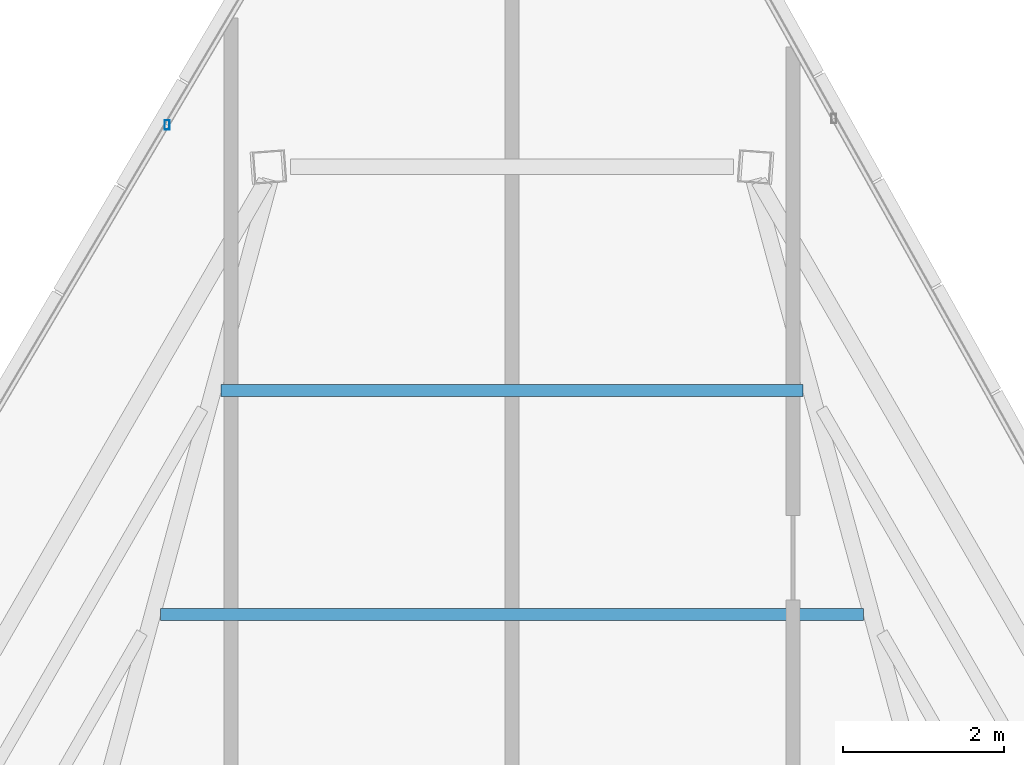
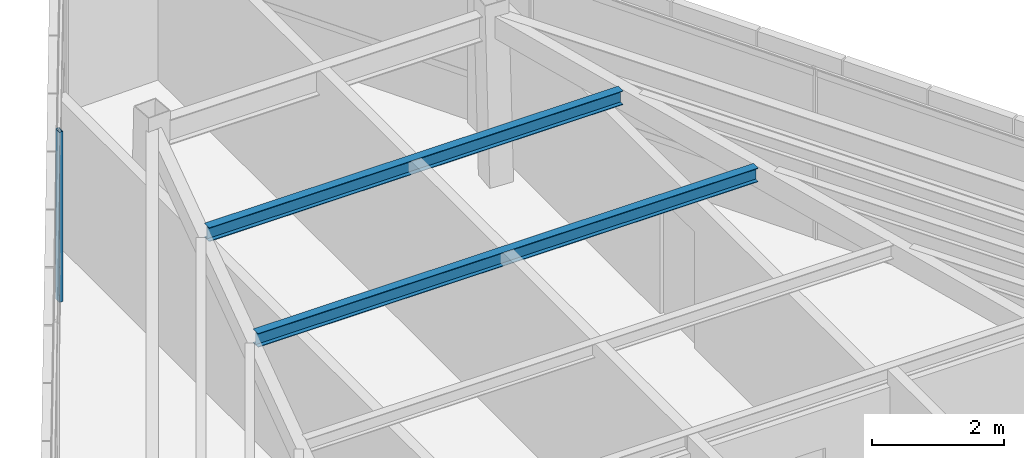
# One storey, part 34 of 44: 2 beams, 1 member, 1 element without a shape of its own.
"""IFC4 building model written with IfcOpenShell, lengths in metres."""

import ifcopenshell
import ifcopenshell.guid

model = None  # the IFC model being written
_history = None  # IfcOwnerHistory: only IFC2X3 demands one
_inside = {}  # id of a spatial element -> (the spatial element, [elements in it])
_under = {}  # id of a project, library or spatial element -> (it, [spatial elements below it])
_declared = {}  # id of a project -> (the project, [libraries it declares])
_typed = {}  # id of a type object -> (the type object, [elements of that type])
_made_of = {}  # id of a material, layer set ... -> (it, [elements and type objects made of it])


def new_model(schema):
    """Start an empty IFC model of exactly this schema.

    Asked for "IFC4X3", IfcOpenShell would pick the latest addendum, in which some entities
    have other attributes; the version numbers below select the first issue.
    IFC2X3 requires an IfcOwnerHistory on every rooted entity: one is made here for all.
    """
    global model, _history
    if schema == "IFC4X3":
        model = ifcopenshell.file(schema_version=(4, 3, 0, 0))
    else:
        model = ifcopenshell.file(schema=schema)
    _inside.clear()
    _under.clear()
    _declared.clear()
    _typed.clear()
    _made_of.clear()
    _history = None
    if model.schema == "IFC2X3":
        org = make("IfcOrganization", Name="unknown")
        user = make(
            "IfcPersonAndOrganization",
            ThePerson=make("IfcPerson", FamilyName="unknown"),
            TheOrganization=org,
        )
        app = make(
            "IfcApplication",
            ApplicationDeveloper=org,
            Version="unknown",
            ApplicationFullName="unknown",
            ApplicationIdentifier="unknown",
        )
        _history = make(
            "IfcOwnerHistory",
            OwningUser=user,
            OwningApplication=app,
            ChangeAction="ADDED",
            CreationDate=0,
        )
    return model


def make(cls, **values):
    """One entity of the class cls with the attributes given. An attribute that is None is left unset."""
    return model.create_entity(
        cls, **{name: value for name, value in values.items() if value is not None}
    )


def rooted(cls, **values):
    """An entity with a GlobalId (a new one), such as an element, a storey or a relation."""
    return make(cls, GlobalId=ifcopenshell.guid.new(), OwnerHistory=_history, **values)


def si_unit(unit_type, name, prefix=None):
    """IfcSIUnit, for example si_unit("LENGTHUNIT", "METRE", prefix="MILLI")."""
    return make("IfcSIUnit", UnitType=unit_type, Prefix=prefix, Name=name)


def assignment(units):
    """IfcUnitAssignment: the units of a project."""
    return None if units is None else make("IfcUnitAssignment", Units=units)


def point(xyz):
    """IfcCartesianPoint."""
    return None if xyz is None else make("IfcCartesianPoint", Coordinates=xyz)


def direction(xyz):
    """IfcDirection."""
    return None if xyz is None else make("IfcDirection", DirectionRatios=xyz)


def frame(location, z_axis=None, x_axis=None):
    """IfcAxis2Placement3D, a coordinate frame: its origin and axes. An axis left out is left unset."""
    return make(
        "IfcAxis2Placement3D",
        Location=point(location),
        Axis=direction(z_axis),
        RefDirection=direction(x_axis),
    )


def frame_2d(location, x_axis=None):
    """IfcAxis2Placement2D, a coordinate frame in the plane: its origin and x axis."""
    return make(
        "IfcAxis2Placement2D", Location=point(location), RefDirection=direction(x_axis)
    )


def origin():
    """The frame at (0, 0, 0) with its axes left unset."""
    return frame((0.0, 0.0, 0.0))


def origin_2d():
    """The frame at (0, 0) in the plane with its x axis left unset."""
    return frame_2d((0.0, 0.0))


def place(relative_to, where):
    """IfcLocalPlacement: puts the frame where relative to a parent placement (None: the world)."""
    return make(
        "IfcLocalPlacement", PlacementRelTo=relative_to, RelativePlacement=where
    )


def context(
    kind, dimensions, precision=None, world=None, true_north=None, identifier=None
):
    """IfcGeometricRepresentationContext, for example the 3D "Model" context."""
    return make(
        "IfcGeometricRepresentationContext",
        ContextIdentifier=identifier,
        ContextType=kind,
        CoordinateSpaceDimension=dimensions,
        Precision=precision,
        WorldCoordinateSystem=world,
        TrueNorth=true_north,
    )


def subcontext(parent, identifier, kind, view, scale=None):
    """IfcGeometricRepresentationSubContext, for example "Body" below "Model"."""
    return make(
        "IfcGeometricRepresentationSubContext",
        ContextIdentifier=identifier,
        ContextType=kind,
        ParentContext=parent,
        TargetScale=scale,
        TargetView=view,
    )


def project(units=None, contexts=None):
    """IfcProject with its units and contexts."""
    return rooted(
        "IfcProject",
        Name="project",
        RepresentationContexts=contexts,
        UnitsInContext=assignment(units),
    )


def spatial(cls, under=None, at=None, **own):
    """A site, building, storey or space (cls), placed at a placement, below another one or the project."""
    s = rooted(cls, ObjectPlacement=at, **own)
    if under is not None:
        _under.setdefault(under.id(), (under, []))[1].append(s)
    return s


def profile(cls, at=None, kind="AREA", **sizes):
    """A parametric profile (cls). Its sizes go by their IFC names, for example OverallWidth=200.0."""
    return make(cls, ProfileType=kind, Position=at, **sizes)


def hollow_rectangle(**sizes):
    """IfcRectangleHollowProfileDef."""
    return profile("IfcRectangleHollowProfileDef", **sizes)


def i_section(**sizes):
    """IfcIShapeProfileDef."""
    return profile("IfcIShapeProfileDef", **sizes)


def extrude(swept, where, along, depth):
    """IfcExtrudedAreaSolid: the profile swept, set in the frame where, extruded along a direction by depth."""
    return make(
        "IfcExtrudedAreaSolid",
        SweptArea=swept,
        Position=where,
        ExtrudedDirection=direction(along),
        Depth=depth,
    )


def shape(context_of_items, identifier, shape_type, items):
    """IfcShapeRepresentation: the items that make up one representation, for example the "Body"."""
    return make(
        "IfcShapeRepresentation",
        ContextOfItems=context_of_items,
        RepresentationIdentifier=identifier,
        RepresentationType=shape_type,
        Items=items,
    )


def source(mapping_origin, context_of_items, identifier, shape_type, items):
    """IfcRepresentationMap: a shape defined once, which mapped items show again and again."""
    return make(
        "IfcRepresentationMap",
        MappingOrigin=mapping_origin,
        MappedRepresentation=shape(context_of_items, identifier, shape_type, items),
    )


def transform(
    local_origin,
    x_axis=None,
    y_axis=None,
    z_axis=None,
    scale=None,
    scale2=None,
    scale3=None,
    uniform=True,
):
    """IfcCartesianTransformationOperator3D, or its non-uniform kind. x_axis, y_axis, z_axis: its Axis1, 2, 3."""
    if uniform:
        return make(
            "IfcCartesianTransformationOperator3D",
            Axis1=direction(x_axis),
            Axis2=direction(y_axis),
            LocalOrigin=point(local_origin),
            Scale=scale,
            Axis3=direction(z_axis),
        )
    return make(
        "IfcCartesianTransformationOperator3DnonUniform",
        Axis1=direction(x_axis),
        Axis2=direction(y_axis),
        LocalOrigin=point(local_origin),
        Scale=scale,
        Axis3=direction(z_axis),
        Scale2=scale2,
        Scale3=scale3,
    )


def mapped(mapping_source, mapping_target):
    """IfcMappedItem: shows the shape of a source again, moved by a transform."""
    return make(
        "IfcMappedItem", MappingSource=mapping_source, MappingTarget=mapping_target
    )


def material(Name=None, Category=None):
    """IfcMaterial."""
    return make("IfcMaterial", Name=Name, Category=Category)


def material_profile(
    of_material, cross_section, Name=None, Category=None, Priority=None
):
    """IfcMaterialProfile: a cross section and its material."""
    return make(
        "IfcMaterialProfile",
        Name=Name,
        Material=of_material,
        Profile=cross_section,
        Priority=Priority,
        Category=Category,
    )


def profile_set(profiles, Name=None, composite=None):
    """IfcMaterialProfileSet."""
    return make(
        "IfcMaterialProfileSet",
        Name=Name,
        MaterialProfiles=profiles,
        CompositeProfile=composite,
    )


def made_of(thing, what):
    """Note that an element or type object is made of a material, layer set ...; save() writes the relation."""
    if what is not None:
        _made_of.setdefault(what.id(), (what, []))[1].append(thing)
    return thing


def type_object(cls, material=None, **own):
    """A type object (cls), such as IfcWallType, which elements share."""
    return made_of(rooted(cls, **own), material)


def type_shapes(of_type, sources):
    """Give a type object the sources (RepresentationMaps) that its elements show as mapped items."""
    of_type.RepresentationMaps = sources


def element(
    cls,
    number,
    at=None,
    inside=None,
    cuts=None,
    type_object=None,
    material=None,
    context=None,
    identifier="Body",
    shape_type=None,
    held_by="IfcProductDefinitionShape",
    body=None,
    shapes=None,
    **own,
):
    """One element of the class cls, such as IfcWall. Its Tag is "e" and its number.

    at: its placement. inside: the storey or other place that contains it. cuts: it is an
    opening in that element (IfcRelVoidsElement). A single representation is given by context,
    identifier, shape_type and body (its items); several are given by shapes. held_by: the class
    of the entity that holds the representations. save() writes the other relations.
    """
    e = rooted(cls, Tag="e%d" % number, ObjectPlacement=at, **own)
    if body is not None:
        shapes = [shape(context, identifier, shape_type, body)]
    if shapes is not None:
        e.Representation = make(held_by, Representations=shapes)
    if inside is not None:
        _inside.setdefault(inside.id(), (inside, []))[1].append(e)
    if cuts is not None:
        rooted(
            "IfcRelVoidsElement", RelatingBuildingElement=cuts, RelatedOpeningElement=e
        )
    if type_object is not None:
        _typed.setdefault(type_object.id(), (type_object, []))[1].append(e)
    return made_of(e, material)


def aggregate(whole, parts):
    """IfcRelAggregates: a whole, such as a stair, and the parts it consists of."""
    return rooted("IfcRelAggregates", RelatingObject=whole, RelatedObjects=parts)


def save(model, path):
    """Write the relations noted so far, then the file.

    IfcRelAggregates (storeys below a building ...), IfcRelContainedInSpatialStructure (elements
    in a storey), IfcRelDefinesByType, IfcRelAssociatesMaterial and IfcRelDeclares: one each for
    every whole, place, type object, material and project.
    """
    for whole, parts in _under.values():
        aggregate(whole, parts)
    for where, things in _inside.values():
        rooted(
            "IfcRelContainedInSpatialStructure",
            RelatedElements=things,
            RelatingStructure=where,
        )
    for kind, things in _typed.values():
        rooted("IfcRelDefinesByType", RelatedObjects=things, RelatingType=kind)
    for what, things in _made_of.values():
        rooted("IfcRelAssociatesMaterial", RelatedObjects=things, RelatingMaterial=what)
    for by, libraries in _declared.values():
        rooted("IfcRelDeclares", RelatingContext=by, RelatedDefinitions=libraries)
    model.write(path)


model = new_model("IFC4")

# Units and contexts
model_context = context("Model", 3, precision=1e-05, world=origin(), true_north=direction((0.0, 1.0)))
body_context = subcontext(model_context, "Body", "Model", "MODEL_VIEW")
ifc_project = project(units=[si_unit("LENGTHUNIT", "METRE"), si_unit("AREAUNIT", "SQUARE_METRE"), si_unit("VOLUMEUNIT", "CUBIC_METRE"), si_unit("PLANEANGLEUNIT", "RADIAN"), si_unit("MASSUNIT", "GRAM", prefix="KILO")], contexts=[model_context])

# Site, building, storey
site_placement = place(None, origin())
site = spatial("IfcSite", under=ifc_project, at=site_placement, CompositionType="ELEMENT")
building_placement = place(site_placement, origin())
building = spatial("IfcBuilding", under=site, at=building_placement, Name="Caelisora Broadcast Tower", CompositionType="ELEMENT")
storey_placement = place(building_placement, frame((0.0, 0.0, 289.800048828125)))
storey = spatial("IfcBuildingStorey", under=building, at=storey_placement, Name="L76", CompositionType="ELEMENT", Elevation=289.800048828125)

# Beams
ifc_material_1 = material(Name="Steel Grade 350 (AS/NZS 3679.1)", Category="steel")
ifc_material_profile_1 = material_profile(ifc_material_1, i_section(OverallWidth=0.14599609375, OverallDepth=0.256103515625, WebThickness=0.00634765625, FlangeThickness=0.010986328125, at=origin_2d()), Name="Steel Grade 350 (AS/NZS 3679.1)")
ifc_profile_set_1 = profile_set([ifc_material_profile_1], Name="Steel Grade 350 (AS/NZS 3679.1)")
beam_type = type_object("IfcBeamType", Name="SB04", PredefinedType="JOIST", material=ifc_profile_set_1)
shared_shape_1 = source(origin(), body_context, "Body", "SweptSolid", [
    extrude(i_section(OverallWidth=0.14599609375, OverallDepth=0.256103515625, WebThickness=0.00634765625, FlangeThickness=0.010986328125, at=origin_2d()), origin(), (0.0, 0.0, 1.0), 8.75439453125),
])
beam_1_placement = place(storey_placement, frame((42.377197265625, 41.15966796875, 3.02197265625), z_axis=(-1.0, 0.0, 0.0), x_axis=(0.0, -1.0, 0.0)))
element("IfcBeam", 1, at=beam_1_placement, inside=storey, type_object=beam_type, Name="L76 beam SB04", PredefinedType="JOIST", context=body_context, shape_type="MappedRepresentation", body=[
    mapped(shared_shape_1, transform((0.0, 0.0, 0.0), scale=1.0)),
])
shared_shape_2 = source(origin(), body_context, "Body", "SweptSolid", [
    extrude(i_section(OverallWidth=0.14599609375, OverallDepth=0.256103515625, WebThickness=0.00634765625, FlangeThickness=0.010986328125, at=origin_2d()), origin(), (0.0, 0.0, 1.0), 7.24365234375),
])
type_shapes(beam_type, [shared_shape_1, shared_shape_2])
beam_2_placement = place(storey_placement, frame((41.621826171875, 43.949462890625, 3.02197265625), z_axis=(-1.0, 0.0, 0.0), x_axis=(0.0, -1.0, 0.0)))
element("IfcBeam", 2, at=beam_2_placement, inside=storey, type_object=beam_type, Name="L76 beam SB04", PredefinedType="JOIST", context=body_context, shape_type="MappedRepresentation", body=[
    mapped(shared_shape_2, transform((0.0, 0.0, 0.0), scale=1.0)),
])

# Curtain wall, member
ifc_material_2 = material(Name="Unitised Aluminium Insulated Shadow-Box Spandrel Curtain Wall", Category="aluminium")
curtain_wall_type = type_object("IfcCurtainWallType", Name="CW-SP3", PredefinedType="NOTDEFINED", material=ifc_material_2)
curtain_wall_placement = place(storey_placement, origin())
curtain_wall = element("IfcCurtainWall", 3, at=curtain_wall_placement, inside=storey, type_object=curtain_wall_type, Name="L76 curtain wall CW-SP3", PredefinedType="NOTDEFINED")
ifc_material_3 = material(Name="Aluminium 6063-T6 Anodised Terracotta Bronze", Category="aluminium")
ifc_material_profile_2 = material_profile(ifc_material_3, hollow_rectangle(XDim=0.06005859375, YDim=0.1201171875, WallThickness=0.0029296875, at=origin_2d()), Name="Aluminium 6063-T6 Anodised Terracotta Bronze")
ifc_profile_set_2 = profile_set([ifc_material_profile_2], Name="Aluminium 6063-T6 Anodised Terracotta Bronze")
member_type = type_object("IfcMemberType", Name="CWM-04", PredefinedType="MULLION", material=ifc_profile_set_2)
shared_shape_3 = source(origin(), body_context, "Body", "SweptSolid", [
    extrude(hollow_rectangle(XDim=0.06005859375, YDim=0.1201171875, WallThickness=0.0029296875, at=origin_2d()), origin(), (0.0, 0.0, 1.0), 3.14990234375),
])
type_shapes(member_type, [shared_shape_3])
member_placement = place(storey_placement, frame((33.70458984375, 47.259033203125, 0.0), z_axis=(0.0, 0.0, 1.0), x_axis=(1.0, 0.0, 0.0)))
member = element("IfcMember", 4, at=member_placement, type_object=member_type, Name="L76-CW-B11 mullion #2", PredefinedType="MULLION", context=body_context, shape_type="MappedRepresentation", body=[
    mapped(shared_shape_3, transform((0.0, 0.0, 0.0), scale=1.0)),
])
aggregate(curtain_wall, [member])

save(model, "model.ifc")
